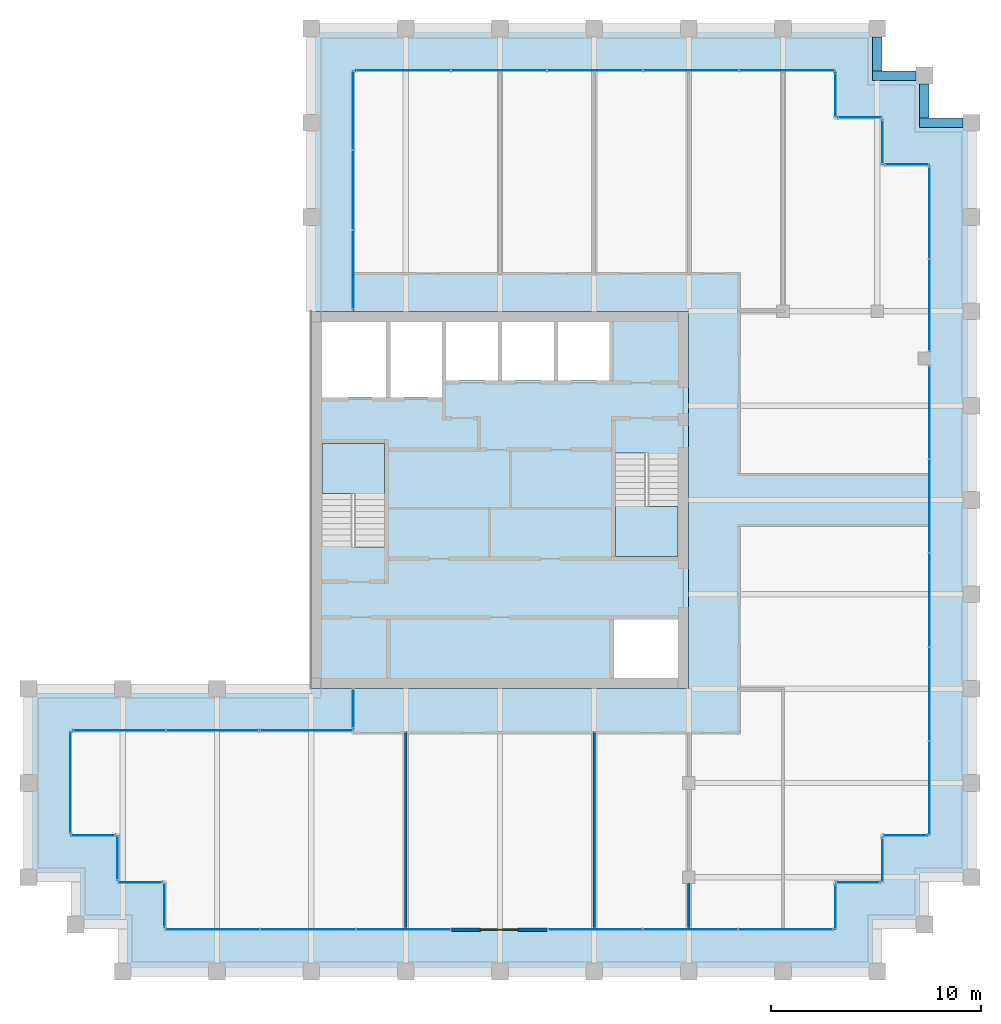
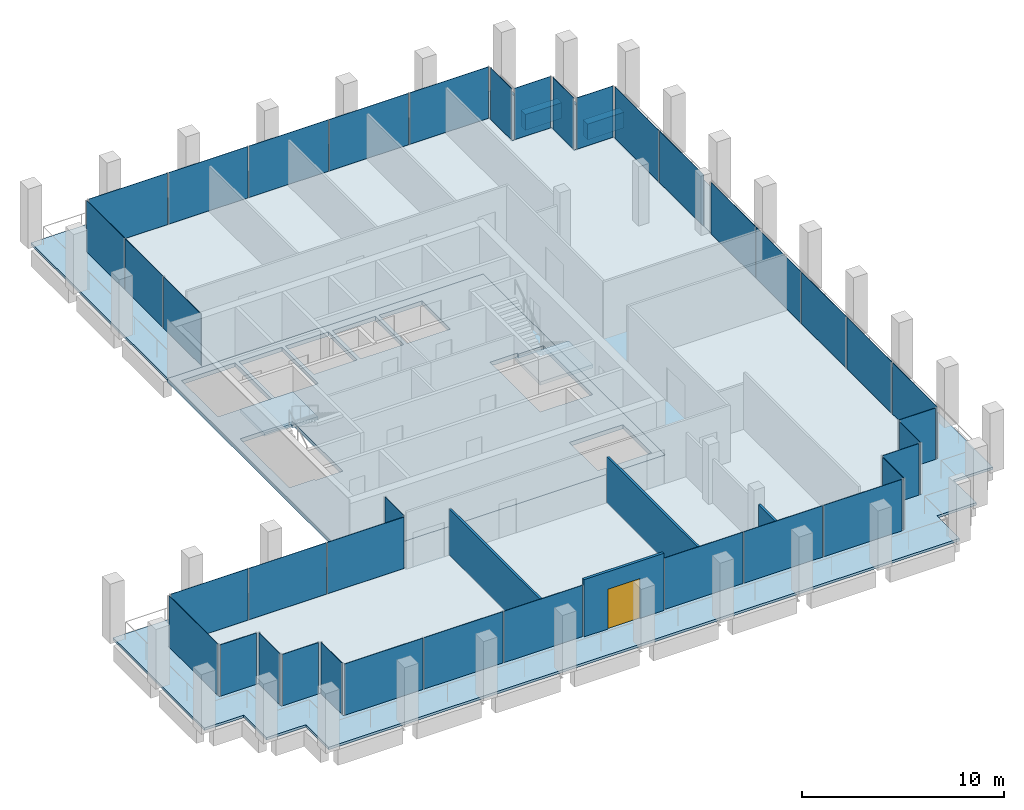
# One storey, part 27 of 30: 38 plates, 5 slabs, 4 beams, 4 walls, 1 door, 1 opening, 23 elements without a shape of their own.
"""IFC4 building model written with IfcOpenShell, lengths in metres."""

from ifc_helpers import new_model, si_unit, direction, frame, frame_2d, origin, origin_2d, place, context, subcontext, project, spatial, polyline, rectangle, outline, extrude, material, layer, layer_set, material_profile, profile_set, type_object, element, fill, aggregate, save


model = new_model("IFC4")

# Units and contexts
model_context = context("Model", 3, precision=1e-05, world=origin(), true_north=direction((0.0, 1.0)))
body_context = subcontext(model_context, "Body", "Model", "MODEL_VIEW")
ifc_project = project(units=[si_unit("LENGTHUNIT", "METRE"), si_unit("AREAUNIT", "SQUARE_METRE"), si_unit("VOLUMEUNIT", "CUBIC_METRE"), si_unit("PLANEANGLEUNIT", "RADIAN"), si_unit("MASSUNIT", "GRAM", prefix="KILO")], contexts=[model_context])

# Site, building, storey
site_placement = place(None, origin())
site = spatial("IfcSite", under=ifc_project, at=site_placement, CompositionType="ELEMENT")
building_placement = place(site_placement, origin())
building = spatial("IfcBuilding", under=site, at=building_placement, Name="Altepetl Exchange Towers", CompositionType="ELEMENT")
storey_placement = place(building_placement, frame((0.0, 0.0, 217.199951171875)))
storey = spatial("IfcBuildingStorey", under=building, at=storey_placement, Name="L55", CompositionType="ELEMENT", Elevation=217.199951171875)

# Beams
ifc_material_1 = material(Name="Concrete C50/60 precast with cantera rosa facing", Category="concrete")
ifc_material_profile = material_profile(ifc_material_1, rectangle(XDim=0.449951171875, YDim=0.949951171875, at=origin_2d()), Name="450 x 950")
ifc_profile_set = profile_set([ifc_material_profile], Name="Concrete C50/60 precast with cantera rosa facing")
beam_type = type_object("IfcBeamType", Name="Spandrel beam 450x950 cantera rosa", PredefinedType="SPANDREL", material=ifc_profile_set)
beam_1_placement = place(storey_placement, frame((71.60009765625, 67.5, -0.625), z_axis=(-1.0, 0.0, 0.0), x_axis=(0.0, -1.0, 0.0)))
element("IfcBeam", 1, at=beam_1_placement, inside=storey, type_object=beam_type, Name="sp:A:L55:020", PredefinedType="SPANDREL", context=body_context, shape_type="SweptSolid", body=[
    extrude(rectangle(XDim=0.449951171875, YDim=0.949951171875, at=origin_2d()), origin(), (0.0, 0.0, 1.0), 2.0751953125),
])
beam_2_placement = place(storey_placement, frame((69.75, 67.72509765625, -0.625), z_axis=(0.0, 1.0, 0.0), x_axis=(-1.0, 0.0, 0.0)))
element("IfcBeam", 2, at=beam_2_placement, inside=storey, type_object=beam_type, Name="sp:A:L55:021", PredefinedType="SPANDREL", context=body_context, shape_type="SweptSolid", body=[
    extrude(rectangle(XDim=0.449951171875, YDim=0.949951171875, at=origin_2d()), origin(), (0.0, 0.0, 1.0), 1.625),
])
beam_3_placement = place(storey_placement, frame((69.35009765625, 69.75, -0.625), z_axis=(-1.0, 0.0, 0.0), x_axis=(0.0, -1.0, 0.0)))
element("IfcBeam", 3, at=beam_3_placement, inside=storey, type_object=beam_type, Name="sp:A:L55:022", PredefinedType="SPANDREL", context=body_context, shape_type="SweptSolid", body=[
    extrude(rectangle(XDim=0.449951171875, YDim=0.949951171875, at=origin_2d()), origin(), (0.0, 0.0, 1.0), 2.0751953125),
])
beam_4_placement = place(storey_placement, frame((67.5, 69.97509765625, -0.625), z_axis=(0.0, 1.0, 0.0), x_axis=(-1.0, 0.0, 0.0)))
element("IfcBeam", 4, at=beam_4_placement, inside=storey, type_object=beam_type, Name="sp:A:L55:023", PredefinedType="SPANDREL", context=body_context, shape_type="SweptSolid", body=[
    extrude(rectangle(XDim=0.449951171875, YDim=0.949951171875, at=origin_2d()), origin(), (0.0, 0.0, 1.0), 1.625),
])

# Slabs
ifc_material_2 = material(Name="Concrete C40/50", Category="concrete")
ifc_layer_1 = layer(ifc_material_2, 0.14990234375)
ifc_layer_set_1 = layer_set([ifc_layer_1], Name="Concrete C40/50")
slab_type_1 = type_object("IfcSlabType", Name="Composite floor slab 150", PredefinedType="FLOOR", material=ifc_layer_set_1)
slab_1_placement = place(storey_placement, frame((0.0, 0.0, -0.14990234375)))
element("IfcSlab", 5, at=slab_1_placement, inside=storey, type_object=slab_type_1, Name="slab:A:L55:strip0", PredefinedType="FLOOR", context=body_context, shape_type="SweptSolid", body=[
    extrude(outline(polyline([(42.5, 70.0), (42.5, 58.5), (58.5, 58.5), (58.5, 40.5), (42.5, 40.5), (42.5, 38.5), (29.0, 38.5), (29.0, 33.5), (31.25, 33.5), (31.25, 31.25), (33.5, 31.25), (33.5, 29.0), (65.5, 29.0), (65.5, 31.25), (67.75, 31.25), (67.75, 33.5), (70.0, 33.5), (70.0, 65.5), (67.75, 65.5), (67.75, 67.75), (65.5, 67.75), (65.5, 70.0), (42.5, 70.0)])), origin(), (0.0, 0.0, 1.0), 0.14990234375),
])
ifc_layer_2 = layer(ifc_material_2, 0.25)
ifc_layer_set_2 = layer_set([ifc_layer_2], Name="Concrete C40/50")
slab_type_2 = type_object("IfcSlabType", Name="Core floor slab 250", PredefinedType="FLOOR", material=ifc_layer_set_2)
slab_2_placement = place(storey_placement, frame((0.0, 0.0, -0.25)))
element("IfcSlab", 6, at=slab_2_placement, inside=storey, type_object=slab_type_2, Name="slab:A:L55:core0", PredefinedType="FLOOR", context=body_context, shape_type="SweptSolid", body=[
    extrude(outline(polyline([(40.5, 40.5), (58.5, 40.5), (58.5, 58.5), (40.5, 58.5), (40.5, 40.5)]), holes=[polyline([(54.93310546875, 43.800048828125), (58.0, 43.800048828125), (58.0, 41.0), (54.93310546875, 41.0), (54.93310546875, 43.800048828125)]), polyline([(55.0, 51.7490234375), (56.550048828125, 51.7490234375), (56.550048828125, 51.64990234375), (58.0, 51.64990234375), (58.0, 46.800048828125), (55.0, 46.800048828125), (55.0, 51.7490234375)]), polyline([(44.0, 47.2509765625), (42.449951171875, 47.2509765625), (42.449951171875, 47.35009765625), (41.0, 47.35009765625), (41.0, 52.199951171875), (44.0, 52.199951171875), (44.0, 47.2509765625)]), polyline([(41.0, 58.0), (44.06689453125, 58.0), (44.06689453125, 54.39990234375), (41.0, 54.39990234375), (41.0, 58.0)]), polyline([(44.26708984375, 58.0), (46.73291015625, 58.0), (46.73291015625, 54.39990234375), (44.26708984375, 54.39990234375), (44.26708984375, 58.0)]), polyline([(46.93310546875, 58.0), (49.39990234375, 58.0), (49.39990234375, 55.199951171875), (46.93310546875, 55.199951171875), (46.93310546875, 58.0)]), polyline([(49.60009765625, 58.0), (52.06689453125, 58.0), (52.06689453125, 55.199951171875), (49.60009765625, 55.199951171875), (49.60009765625, 58.0)]), polyline([(52.26708984375, 58.0), (54.73291015625, 58.0), (54.73291015625, 55.199951171875), (52.26708984375, 55.199951171875), (52.26708984375, 58.0)])]), origin(), (0.0, 0.0, 1.0), 0.25),
])

# Curtain wall, plate
ifc_material_3 = material(Name="Aluminium 6063-T6 glazing", Category="aluminium")
curtain_wall_type = type_object("IfcCurtainWallType", Name="Loggia glazing system", PredefinedType="NOTDEFINED", material=ifc_material_3)
curtain_wall_1_placement = place(storey_placement, origin())
curtain_wall_1 = element("IfcCurtainWall", 7, at=curtain_wall_1_placement, inside=storey, type_object=curtain_wall_type, Name="CW1 run", PredefinedType="NOTDEFINED")
ifc_material_4 = material(Name="Glass 6-16-6 low emissivity", Category="glass")
ifc_layer_3 = layer(ifc_material_4, 0.028076171875)
ifc_layer_set_3 = layer_set([ifc_layer_3], Name="Glass 6-16-6 low emissivity")
plate_type = type_object("IfcPlateType", Name="Glass panel 28 double glazed", PredefinedType="CURTAIN_PANEL", material=ifc_layer_set_3)
plate_1_placement = place(storey_placement, frame((42.5, 39.53759765625, 0.0), z_axis=(0.0, 0.0, 1.0), x_axis=(0.0, -1.0, 0.0)))
plate_1 = element("IfcPlate", 8, at=plate_1_placement, type_object=plate_type, Name="GP1 panel", PredefinedType="CURTAIN_PANEL", context=body_context, shape_type="SweptSolid", body=[
    extrude(rectangle(XDim=1.804931640625, YDim=0.028076171875, at=origin_2d()), origin(), (0.0, 0.0, 1.0), 3.10009765625),
])
aggregate(curtain_wall_1, [plate_1])

# Curtain wall, plates
curtain_wall_2_placement = place(storey_placement, origin())
curtain_wall_2 = element("IfcCurtainWall", 9, at=curtain_wall_2_placement, inside=storey, type_object=curtain_wall_type, Name="CW1 run", PredefinedType="NOTDEFINED")
plate_2_placement = place(storey_placement, frame((40.24755859375, 38.5, 0.0), z_axis=(0.0, 0.0, 1.0), x_axis=(-1.0, 0.0, 0.0)))
plate_2 = element("IfcPlate", 10, at=plate_2_placement, type_object=plate_type, Name="GP1 panel", PredefinedType="CURTAIN_PANEL", context=body_context, shape_type="SweptSolid", body=[
    extrude(rectangle(XDim=4.385009765625, YDim=0.028076171875, at=origin_2d()), origin(), (0.0, 0.0, 1.0), 3.10009765625),
])
plate_3_placement = place(storey_placement, frame((35.78759765625, 38.5, 0.0), z_axis=(0.0, 0.0, 1.0), x_axis=(-1.0, 0.0, 0.0)))
plate_3 = element("IfcPlate", 11, at=plate_3_placement, type_object=plate_type, Name="GP1 panel", PredefinedType="CURTAIN_PANEL", context=body_context, shape_type="SweptSolid", body=[
    extrude(rectangle(XDim=4.4150390625, YDim=0.028076171875, at=origin_2d()), origin(), (0.0, 0.0, 1.0), 3.10009765625),
])
plate_4_placement = place(storey_placement, frame((31.327392578125, 38.5, 0.0), z_axis=(0.0, 0.0, 1.0), x_axis=(-1.0, 0.0, 0.0)))
plate_4 = element("IfcPlate", 12, at=plate_4_placement, type_object=plate_type, Name="GP1 panel", PredefinedType="CURTAIN_PANEL", context=body_context, shape_type="SweptSolid", body=[
    extrude(rectangle(XDim=4.385009765625, YDim=0.028076171875, at=origin_2d()), origin(), (0.0, 0.0, 1.0), 3.10009765625),
])
aggregate(curtain_wall_2, [plate_2, plate_3, plate_4])

# Curtain wall, plate
curtain_wall_3_placement = place(storey_placement, origin())
curtain_wall_3 = element("IfcCurtainWall", 13, at=curtain_wall_3_placement, inside=storey, type_object=curtain_wall_type, Name="CW1 run", PredefinedType="NOTDEFINED")
plate_5_placement = place(storey_placement, frame((29.0, 36.03759765625, 0.0), z_axis=(0.0, 0.0, 1.0), x_axis=(0.0, -1.0, 0.0)))
plate_5 = element("IfcPlate", 14, at=plate_5_placement, type_object=plate_type, Name="GP1 panel", PredefinedType="CURTAIN_PANEL", context=body_context, shape_type="SweptSolid", body=[
    extrude(rectangle(XDim=4.804931640625, YDim=0.028076171875, at=origin_2d()), origin(), (0.0, 0.0, 1.0), 3.10009765625),
])
aggregate(curtain_wall_3, [plate_5])

curtain_wall_4_placement = place(storey_placement, origin())
curtain_wall_4 = element("IfcCurtainWall", 15, at=curtain_wall_4_placement, inside=storey, type_object=curtain_wall_type, Name="CW1 run", PredefinedType="NOTDEFINED")
plate_6_placement = place(storey_placement, frame((30.08740234375, 33.5, 0.0)))
plate_6 = element("IfcPlate", 16, at=plate_6_placement, type_object=plate_type, Name="GP1 panel", PredefinedType="CURTAIN_PANEL", context=body_context, shape_type="SweptSolid", body=[
    extrude(rectangle(XDim=2.054931640625, YDim=0.028076171875, at=origin_2d()), origin(), (0.0, 0.0, 1.0), 3.10009765625),
])
aggregate(curtain_wall_4, [plate_6])

curtain_wall_5_placement = place(storey_placement, origin())
curtain_wall_5 = element("IfcCurtainWall", 17, at=curtain_wall_5_placement, inside=storey, type_object=curtain_wall_type, Name="CW1 run", PredefinedType="NOTDEFINED")
plate_7_placement = place(storey_placement, frame((31.25, 32.41259765625, 0.0), z_axis=(0.0, 0.0, 1.0), x_axis=(0.0, -1.0, 0.0)))
plate_7 = element("IfcPlate", 18, at=plate_7_placement, type_object=plate_type, Name="GP1 panel", PredefinedType="CURTAIN_PANEL", context=body_context, shape_type="SweptSolid", body=[
    extrude(rectangle(XDim=2.054931640625, YDim=0.028076171875, at=origin_2d()), origin(), (0.0, 0.0, 1.0), 3.10009765625),
])
aggregate(curtain_wall_5, [plate_7])

curtain_wall_6_placement = place(storey_placement, origin())
curtain_wall_6 = element("IfcCurtainWall", 19, at=curtain_wall_6_placement, inside=storey, type_object=curtain_wall_type, Name="CW1 run", PredefinedType="NOTDEFINED")
plate_8_placement = place(storey_placement, frame((32.33740234375, 31.25, 0.0)))
plate_8 = element("IfcPlate", 20, at=plate_8_placement, type_object=plate_type, Name="GP1 panel", PredefinedType="CURTAIN_PANEL", context=body_context, shape_type="SweptSolid", body=[
    extrude(rectangle(XDim=2.054931640625, YDim=0.028076171875, at=origin_2d()), origin(), (0.0, 0.0, 1.0), 3.10009765625),
])
aggregate(curtain_wall_6, [plate_8])

curtain_wall_7_placement = place(storey_placement, origin())
curtain_wall_7 = element("IfcCurtainWall", 21, at=curtain_wall_7_placement, inside=storey, type_object=curtain_wall_type, Name="CW1 run", PredefinedType="NOTDEFINED")
plate_9_placement = place(storey_placement, frame((33.5, 30.16259765625, 0.0), z_axis=(0.0, 0.0, 1.0), x_axis=(0.0, -1.0, 0.0)))
plate_9 = element("IfcPlate", 22, at=plate_9_placement, type_object=plate_type, Name="GP1 panel", PredefinedType="CURTAIN_PANEL", context=body_context, shape_type="SweptSolid", body=[
    extrude(rectangle(XDim=2.054931640625, YDim=0.028076171875, at=origin_2d()), origin(), (0.0, 0.0, 1.0), 3.10009765625),
])
aggregate(curtain_wall_7, [plate_9])

# Curtain wall, plates
curtain_wall_8_placement = place(storey_placement, origin())
curtain_wall_8 = element("IfcCurtainWall", 23, at=curtain_wall_8_placement, inside=storey, type_object=curtain_wall_type, Name="CW1 run", PredefinedType="NOTDEFINED")
plate_10_placement = place(storey_placement, frame((35.79541015625, 29.0, 0.0)))
plate_10 = element("IfcPlate", 24, at=plate_10_placement, type_object=plate_type, Name="GP1 panel", PredefinedType="CURTAIN_PANEL", context=body_context, shape_type="SweptSolid", body=[
    extrude(rectangle(XDim=4.470703125, YDim=0.028076171875, at=origin_2d()), origin(), (0.0, 0.0, 1.0), 3.10009765625),
])
plate_11_placement = place(storey_placement, frame((40.341064453125, 29.0, 0.0)))
plate_11 = element("IfcPlate", 25, at=plate_11_placement, type_object=plate_type, Name="GP1 panel", PredefinedType="CURTAIN_PANEL", context=body_context, shape_type="SweptSolid", body=[
    extrude(rectangle(XDim=4.500732421875, YDim=0.028076171875, at=origin_2d()), origin(), (0.0, 0.0, 1.0), 3.10009765625),
])
plate_12_placement = place(storey_placement, frame((44.88671875, 29.0, 0.0)))
plate_12 = element("IfcPlate", 26, at=plate_12_placement, type_object=plate_type, Name="GP1 panel", PredefinedType="CURTAIN_PANEL", context=body_context, shape_type="SweptSolid", body=[
    extrude(rectangle(XDim=4.470703125, YDim=0.028076171875, at=origin_2d()), origin(), (0.0, 0.0, 1.0), 3.10009765625),
])
aggregate(curtain_wall_8, [plate_10, plate_11, plate_12])

curtain_wall_9_placement = place(storey_placement, origin())
curtain_wall_9 = element("IfcCurtainWall", 27, at=curtain_wall_9_placement, inside=storey, type_object=curtain_wall_type, Name="CW1 run", PredefinedType="NOTDEFINED")
plate_13_placement = place(storey_placement, frame((54.038330078125, 29.0, 0.0)))
plate_13 = element("IfcPlate", 28, at=plate_13_placement, type_object=plate_type, Name="GP1 panel", PredefinedType="CURTAIN_PANEL", context=body_context, shape_type="SweptSolid", body=[
    extrude(rectangle(XDim=4.470703125, YDim=0.028076171875, at=origin_2d()), origin(), (0.0, 0.0, 1.0), 3.10009765625),
])
plate_14_placement = place(storey_placement, frame((58.583984375, 29.0, 0.0)))
plate_14 = element("IfcPlate", 29, at=plate_14_placement, type_object=plate_type, Name="GP1 panel", PredefinedType="CURTAIN_PANEL", context=body_context, shape_type="SweptSolid", body=[
    extrude(rectangle(XDim=4.500732421875, YDim=0.028076171875, at=origin_2d()), origin(), (0.0, 0.0, 1.0), 3.10009765625),
])
plate_15_placement = place(storey_placement, frame((63.129638671875, 29.0, 0.0)))
plate_15 = element("IfcPlate", 30, at=plate_15_placement, type_object=plate_type, Name="GP1 panel", PredefinedType="CURTAIN_PANEL", context=body_context, shape_type="SweptSolid", body=[
    extrude(rectangle(XDim=4.470703125, YDim=0.028076171875, at=origin_2d()), origin(), (0.0, 0.0, 1.0), 3.10009765625),
])
aggregate(curtain_wall_9, [plate_13, plate_14, plate_15])

# Curtain wall, plate
curtain_wall_10_placement = place(storey_placement, origin())
curtain_wall_10 = element("IfcCurtainWall", 31, at=curtain_wall_10_placement, inside=storey, type_object=curtain_wall_type, Name="CW1 run", PredefinedType="NOTDEFINED")
plate_16_placement = place(storey_placement, frame((65.5, 30.08740234375, 0.0), z_axis=(0.0, 0.0, 1.0), x_axis=(0.0, 1.0, 0.0)))
plate_16 = element("IfcPlate", 32, at=plate_16_placement, type_object=plate_type, Name="GP1 panel", PredefinedType="CURTAIN_PANEL", context=body_context, shape_type="SweptSolid", body=[
    extrude(rectangle(XDim=2.054931640625, YDim=0.028076171875, at=origin_2d()), origin(), (0.0, 0.0, 1.0), 3.10009765625),
])
aggregate(curtain_wall_10, [plate_16])

curtain_wall_11_placement = place(storey_placement, origin())
curtain_wall_11 = element("IfcCurtainWall", 33, at=curtain_wall_11_placement, inside=storey, type_object=curtain_wall_type, Name="CW1 run", PredefinedType="NOTDEFINED")
plate_17_placement = place(storey_placement, frame((66.58740234375, 31.25, 0.0)))
plate_17 = element("IfcPlate", 34, at=plate_17_placement, type_object=plate_type, Name="GP1 panel", PredefinedType="CURTAIN_PANEL", context=body_context, shape_type="SweptSolid", body=[
    extrude(rectangle(XDim=2.054931640625, YDim=0.028076171875, at=origin_2d()), origin(), (0.0, 0.0, 1.0), 3.10009765625),
])
aggregate(curtain_wall_11, [plate_17])

curtain_wall_12_placement = place(storey_placement, origin())
curtain_wall_12 = element("IfcCurtainWall", 35, at=curtain_wall_12_placement, inside=storey, type_object=curtain_wall_type, Name="CW1 run", PredefinedType="NOTDEFINED")
plate_18_placement = place(storey_placement, frame((67.75, 32.33740234375, 0.0), z_axis=(0.0, 0.0, 1.0), x_axis=(0.0, 1.0, 0.0)))
plate_18 = element("IfcPlate", 36, at=plate_18_placement, type_object=plate_type, Name="GP1 panel", PredefinedType="CURTAIN_PANEL", context=body_context, shape_type="SweptSolid", body=[
    extrude(rectangle(XDim=2.054931640625, YDim=0.028076171875, at=origin_2d()), origin(), (0.0, 0.0, 1.0), 3.10009765625),
])
aggregate(curtain_wall_12, [plate_18])

curtain_wall_13_placement = place(storey_placement, origin())
curtain_wall_13 = element("IfcCurtainWall", 37, at=curtain_wall_13_placement, inside=storey, type_object=curtain_wall_type, Name="CW1 run", PredefinedType="NOTDEFINED")
plate_19_placement = place(storey_placement, frame((68.83740234375, 33.5, 0.0)))
plate_19 = element("IfcPlate", 38, at=plate_19_placement, type_object=plate_type, Name="GP1 panel", PredefinedType="CURTAIN_PANEL", context=body_context, shape_type="SweptSolid", body=[
    extrude(rectangle(XDim=2.054931640625, YDim=0.028076171875, at=origin_2d()), origin(), (0.0, 0.0, 1.0), 3.10009765625),
])
aggregate(curtain_wall_13, [plate_19])

# Curtain wall, plates
curtain_wall_14_placement = place(storey_placement, origin())
curtain_wall_14 = element("IfcCurtainWall", 39, at=curtain_wall_14_placement, inside=storey, type_object=curtain_wall_type, Name="CW1 run", PredefinedType="NOTDEFINED")
plate_20_placement = place(storey_placement, frame((70.0, 35.758056640625, 0.0), z_axis=(0.0, 0.0, 1.0), x_axis=(0.0, 1.0, 0.0)))
plate_20 = element("IfcPlate", 40, at=plate_20_placement, type_object=plate_type, Name="GP1 panel", PredefinedType="CURTAIN_PANEL", context=body_context, shape_type="SweptSolid", body=[
    extrude(rectangle(XDim=4.39599609375, YDim=0.028076171875, at=origin_2d()), origin(), (0.0, 0.0, 1.0), 3.10009765625),
])
plate_21_placement = place(storey_placement, frame((70.0, 40.22900390625, 0.0), z_axis=(0.0, 0.0, 1.0), x_axis=(0.0, 1.0, 0.0)))
plate_21 = element("IfcPlate", 41, at=plate_21_placement, type_object=plate_type, Name="GP1 panel", PredefinedType="CURTAIN_PANEL", context=body_context, shape_type="SweptSolid", body=[
    extrude(rectangle(XDim=4.426025390625, YDim=0.028076171875, at=origin_2d()), origin(), (0.0, 0.0, 1.0), 3.10009765625),
])
plate_22_placement = place(storey_placement, frame((70.0, 44.715087890625, 0.0), z_axis=(0.0, 0.0, 1.0), x_axis=(0.0, 1.0, 0.0)))
plate_22 = element("IfcPlate", 42, at=plate_22_placement, type_object=plate_type, Name="GP1 panel", PredefinedType="CURTAIN_PANEL", context=body_context, shape_type="SweptSolid", body=[
    extrude(rectangle(XDim=4.426025390625, YDim=0.028076171875, at=origin_2d()), origin(), (0.0, 0.0, 1.0), 3.10009765625),
])
plate_23_placement = place(storey_placement, frame((70.0, 49.200927734375, 0.0), z_axis=(0.0, 0.0, 1.0), x_axis=(0.0, 1.0, 0.0)))
plate_23 = element("IfcPlate", 43, at=plate_23_placement, type_object=plate_type, Name="GP1 panel", PredefinedType="CURTAIN_PANEL", context=body_context, shape_type="SweptSolid", body=[
    extrude(rectangle(XDim=4.426025390625, YDim=0.028076171875, at=origin_2d()), origin(), (0.0, 0.0, 1.0), 3.10009765625),
])
plate_24_placement = place(storey_placement, frame((70.0, 53.672119140625, 0.0), z_axis=(0.0, 0.0, 1.0), x_axis=(0.0, 1.0, 0.0)))
plate_24 = element("IfcPlate", 44, at=plate_24_placement, type_object=plate_type, Name="GP1 panel", PredefinedType="CURTAIN_PANEL", context=body_context, shape_type="SweptSolid", body=[
    extrude(rectangle(XDim=4.39599609375, YDim=0.028076171875, at=origin_2d()), origin(), (0.0, 0.0, 1.0), 3.10009765625),
])
aggregate(curtain_wall_14, [plate_20, plate_21, plate_22, plate_23, plate_24])

curtain_wall_15_placement = place(storey_placement, origin())
curtain_wall_15 = element("IfcCurtainWall", 45, at=curtain_wall_15_placement, inside=storey, type_object=curtain_wall_type, Name="CW1 run", PredefinedType="NOTDEFINED")
plate_25_placement = place(storey_placement, frame((70.0, 58.798828125, 0.0), z_axis=(0.0, 0.0, 1.0), x_axis=(0.0, 1.0, 0.0)))
plate_25 = element("IfcPlate", 46, at=plate_25_placement, type_object=plate_type, Name="GP1 panel", PredefinedType="CURTAIN_PANEL", context=body_context, shape_type="SweptSolid", body=[
    extrude(rectangle(XDim=4.33740234375, YDim=0.028076171875, at=origin_2d()), origin(), (0.0, 0.0, 1.0), 3.10009765625),
])
plate_26_placement = place(storey_placement, frame((70.0, 63.1962890625, 0.0), z_axis=(0.0, 0.0, 1.0), x_axis=(0.0, 1.0, 0.0)))
plate_26 = element("IfcPlate", 47, at=plate_26_placement, type_object=plate_type, Name="GP1 panel", PredefinedType="CURTAIN_PANEL", context=body_context, shape_type="SweptSolid", body=[
    extrude(rectangle(XDim=4.33740234375, YDim=0.028076171875, at=origin_2d()), origin(), (0.0, 0.0, 1.0), 3.10009765625),
])
aggregate(curtain_wall_15, [plate_25, plate_26])

# Curtain wall, plate
curtain_wall_16_placement = place(storey_placement, origin())
curtain_wall_16 = element("IfcCurtainWall", 48, at=curtain_wall_16_placement, inside=storey, type_object=curtain_wall_type, Name="CW1 run", PredefinedType="NOTDEFINED")
plate_27_placement = place(storey_placement, frame((68.91259765625, 65.5, 0.0), z_axis=(0.0, 0.0, 1.0), x_axis=(-1.0, 0.0, 0.0)))
plate_27 = element("IfcPlate", 49, at=plate_27_placement, type_object=plate_type, Name="GP1 panel", PredefinedType="CURTAIN_PANEL", context=body_context, shape_type="SweptSolid", body=[
    extrude(rectangle(XDim=2.054931640625, YDim=0.028076171875, at=origin_2d()), origin(), (0.0, 0.0, 1.0), 3.10009765625),
])
aggregate(curtain_wall_16, [plate_27])

curtain_wall_17_placement = place(storey_placement, origin())
curtain_wall_17 = element("IfcCurtainWall", 50, at=curtain_wall_17_placement, inside=storey, type_object=curtain_wall_type, Name="CW1 run", PredefinedType="NOTDEFINED")
plate_28_placement = place(storey_placement, frame((67.75, 66.58740234375, 0.0), z_axis=(0.0, 0.0, 1.0), x_axis=(0.0, 1.0, 0.0)))
plate_28 = element("IfcPlate", 51, at=plate_28_placement, type_object=plate_type, Name="GP1 panel", PredefinedType="CURTAIN_PANEL", context=body_context, shape_type="SweptSolid", body=[
    extrude(rectangle(XDim=2.054931640625, YDim=0.028076171875, at=origin_2d()), origin(), (0.0, 0.0, 1.0), 3.10009765625),
])
aggregate(curtain_wall_17, [plate_28])

curtain_wall_18_placement = place(storey_placement, origin())
curtain_wall_18 = element("IfcCurtainWall", 52, at=curtain_wall_18_placement, inside=storey, type_object=curtain_wall_type, Name="CW1 run", PredefinedType="NOTDEFINED")
plate_29_placement = place(storey_placement, frame((66.66259765625, 67.75, 0.0), z_axis=(0.0, 0.0, 1.0), x_axis=(-1.0, 0.0, 0.0)))
plate_29 = element("IfcPlate", 53, at=plate_29_placement, type_object=plate_type, Name="GP1 panel", PredefinedType="CURTAIN_PANEL", context=body_context, shape_type="SweptSolid", body=[
    extrude(rectangle(XDim=2.054931640625, YDim=0.028076171875, at=origin_2d()), origin(), (0.0, 0.0, 1.0), 3.10009765625),
])
aggregate(curtain_wall_18, [plate_29])

curtain_wall_19_placement = place(storey_placement, origin())
curtain_wall_19 = element("IfcCurtainWall", 54, at=curtain_wall_19_placement, inside=storey, type_object=curtain_wall_type, Name="CW1 run", PredefinedType="NOTDEFINED")
plate_30_placement = place(storey_placement, frame((65.5, 68.83740234375, 0.0), z_axis=(0.0, 0.0, 1.0), x_axis=(0.0, 1.0, 0.0)))
plate_30 = element("IfcPlate", 55, at=plate_30_placement, type_object=plate_type, Name="GP1 panel", PredefinedType="CURTAIN_PANEL", context=body_context, shape_type="SweptSolid", body=[
    extrude(rectangle(XDim=2.054931640625, YDim=0.028076171875, at=origin_2d()), origin(), (0.0, 0.0, 1.0), 3.10009765625),
])
aggregate(curtain_wall_19, [plate_30])

# Curtain wall, plates
curtain_wall_20_placement = place(storey_placement, origin())
curtain_wall_20 = element("IfcCurtainWall", 56, at=curtain_wall_20_placement, inside=storey, type_object=curtain_wall_type, Name="CW1 run", PredefinedType="NOTDEFINED")
plate_31_placement = place(storey_placement, frame((63.1923828125, 70.0, 0.0), z_axis=(0.0, 0.0, 1.0), x_axis=(-1.0, 0.0, 0.0)))
plate_31 = element("IfcPlate", 57, at=plate_31_placement, type_object=plate_type, Name="GP1 panel", PredefinedType="CURTAIN_PANEL", context=body_context, shape_type="SweptSolid", body=[
    extrude(rectangle(XDim=4.4951171875, YDim=0.028076171875, at=origin_2d()), origin(), (0.0, 0.0, 1.0), 3.10009765625),
])
plate_32_placement = place(storey_placement, frame((58.62255859375, 70.0, 0.0), z_axis=(0.0, 0.0, 1.0), x_axis=(-1.0, 0.0, 0.0)))
plate_32 = element("IfcPlate", 58, at=plate_32_placement, type_object=plate_type, Name="GP1 panel", PredefinedType="CURTAIN_PANEL", context=body_context, shape_type="SweptSolid", body=[
    extrude(rectangle(XDim=4.52490234375, YDim=0.028076171875, at=origin_2d()), origin(), (0.0, 0.0, 1.0), 3.10009765625),
])
plate_33_placement = place(storey_placement, frame((54.03759765625, 70.0, 0.0), z_axis=(0.0, 0.0, 1.0), x_axis=(-1.0, 0.0, 0.0)))
plate_33 = element("IfcPlate", 59, at=plate_33_placement, type_object=plate_type, Name="GP1 panel", PredefinedType="CURTAIN_PANEL", context=body_context, shape_type="SweptSolid", body=[
    extrude(rectangle(XDim=4.52490234375, YDim=0.028076171875, at=origin_2d()), origin(), (0.0, 0.0, 1.0), 3.10009765625),
])
plate_34_placement = place(storey_placement, frame((49.452392578125, 70.0, 0.0), z_axis=(0.0, 0.0, 1.0), x_axis=(-1.0, 0.0, 0.0)))
plate_34 = element("IfcPlate", 60, at=plate_34_placement, type_object=plate_type, Name="GP1 panel", PredefinedType="CURTAIN_PANEL", context=body_context, shape_type="SweptSolid", body=[
    extrude(rectangle(XDim=4.52490234375, YDim=0.028076171875, at=origin_2d()), origin(), (0.0, 0.0, 1.0), 3.10009765625),
])
plate_35_placement = place(storey_placement, frame((44.882568359375, 70.0, 0.0), z_axis=(0.0, 0.0, 1.0), x_axis=(-1.0, 0.0, 0.0)))
plate_35 = element("IfcPlate", 61, at=plate_35_placement, type_object=plate_type, Name="GP1 panel", PredefinedType="CURTAIN_PANEL", context=body_context, shape_type="SweptSolid", body=[
    extrude(rectangle(XDim=4.4951171875, YDim=0.028076171875, at=origin_2d()), origin(), (0.0, 0.0, 1.0), 3.10009765625),
])
aggregate(curtain_wall_20, [plate_31, plate_32, plate_33, plate_34, plate_35])

curtain_wall_21_placement = place(storey_placement, origin())
curtain_wall_21 = element("IfcCurtainWall", 62, at=curtain_wall_21_placement, inside=storey, type_object=curtain_wall_type, Name="CW1 run", PredefinedType="NOTDEFINED")
plate_36_placement = place(storey_placement, frame((42.5, 68.080810546875, 0.0), z_axis=(0.0, 0.0, 1.0), x_axis=(0.0, -1.0, 0.0)))
plate_36 = element("IfcPlate", 63, at=plate_36_placement, type_object=plate_type, Name="GP1 panel", PredefinedType="CURTAIN_PANEL", context=body_context, shape_type="SweptSolid", body=[
    extrude(rectangle(XDim=3.71826171875, YDim=0.028076171875, at=origin_2d()), origin(), (0.0, 0.0, 1.0), 3.10009765625),
])
plate_37_placement = place(storey_placement, frame((42.5, 64.28759765625, 0.0), z_axis=(0.0, 0.0, 1.0), x_axis=(0.0, -1.0, 0.0)))
plate_37 = element("IfcPlate", 64, at=plate_37_placement, type_object=plate_type, Name="GP1 panel", PredefinedType="CURTAIN_PANEL", context=body_context, shape_type="SweptSolid", body=[
    extrude(rectangle(XDim=3.748291015625, YDim=0.028076171875, at=origin_2d()), origin(), (0.0, 0.0, 1.0), 3.10009765625),
])
plate_38_placement = place(storey_placement, frame((42.5, 60.494140625, 0.0), z_axis=(0.0, 0.0, 1.0), x_axis=(0.0, -1.0, 0.0)))
plate_38 = element("IfcPlate", 65, at=plate_38_placement, type_object=plate_type, Name="GP1 panel", PredefinedType="CURTAIN_PANEL", context=body_context, shape_type="SweptSolid", body=[
    extrude(rectangle(XDim=3.71826171875, YDim=0.028076171875, at=origin_2d()), origin(), (0.0, 0.0, 1.0), 3.10009765625),
])
aggregate(curtain_wall_21, [plate_36, plate_37, plate_38])

# Slab
ifc_layer_4 = layer(ifc_material_2, 0.14990234375)
ifc_layer_set_4 = layer_set([ifc_layer_4], Name="Concrete C40/50")
slab_type_3 = type_object("IfcSlabType", Name="Loggia slab 150", PredefinedType="FLOOR", material=ifc_layer_set_4)
slab_3_placement = place(storey_placement, frame((0.0, 0.0, -0.14990234375)))
element("IfcSlab", 66, at=slab_3_placement, inside=storey, type_object=slab_type_3, Name="slab:A:L55:loggia0", PredefinedType="FLOOR", context=body_context, shape_type="SweptSolid", body=[
    extrude(outline(polyline([(40.5, 72.0), (40.5, 58.5), (42.5, 58.5), (42.5, 70.0), (65.5, 70.0), (65.5, 67.75), (67.75, 67.75), (67.75, 65.5), (70.0, 65.5), (70.0, 33.5), (67.75, 33.5), (67.75, 31.25), (65.5, 31.25), (65.5, 29.0), (33.5, 29.0), (33.5, 31.25), (31.25, 31.25), (31.25, 33.5), (29.0, 33.5), (29.0, 38.5), (42.5, 38.5), (42.5, 40.5), (40.5, 40.5), (27.0, 40.5), (27.0, 31.5), (29.25, 31.5), (29.25, 29.25), (31.5, 29.25), (31.5, 27.0), (58.5, 27.0), (67.5, 27.0), (67.5, 29.25), (69.75, 29.25), (69.75, 31.5), (72.0, 31.5), (72.0, 58.5), (72.0, 67.5), (69.75, 67.5), (69.75, 69.75), (67.5, 69.75), (67.5, 72.0), (40.5, 72.0)])), origin(), (0.0, 0.0, 1.0), 0.14990234375),
])

# Stair, slab
stair_type = type_object("IfcStairType", Name="Exit stair 1450 flights dogleg", PredefinedType="HALF_TURN_STAIR", material=ifc_material_2)
stair_1_placement = place(storey_placement, origin())
stair_1 = element("IfcStair", 67, at=stair_1_placement, inside=storey, type_object=stair_type, Name="Exit stair 1", PredefinedType="HALF_TURN_STAIR")
ifc_layer_5 = layer(ifc_material_2, 0.199951171875)
ifc_layer_set_5 = layer_set([ifc_layer_5], Name="Concrete C40/50")
slab_type_4 = type_object("IfcSlabType", Name="Stair landing 200 reinforced concrete", PredefinedType="LANDING", material=ifc_layer_set_5)
slab_4_placement = place(storey_placement, frame((0.0, 0.0, 1.60009765625)))
slab_4 = element("IfcSlab", 68, at=slab_4_placement, type_object=slab_type_4, Name="ST-A1f landing 1", PredefinedType="LANDING", context=body_context, shape_type="SweptSolid", body=[
    extrude(outline(polyline([(44.0, 49.715087890625), (42.550048828125, 49.715087890625), (42.550048828125, 49.81494140625), (42.449951171875, 49.81494140625), (42.449951171875, 49.814208984375), (41.0, 49.814208984375), (41.0, 49.81494140625), (41.0, 52.199951171875), (44.0, 52.199951171875), (44.0, 49.81494140625), (44.0, 49.715087890625)])), origin(), (0.0, 0.0, 1.0), 0.199951171875),
])
aggregate(stair_1, [slab_4])

stair_2_placement = place(storey_placement, origin())
stair_2 = element("IfcStair", 69, at=stair_2_placement, inside=storey, type_object=stair_type, Name="Exit stair 2", PredefinedType="HALF_TURN_STAIR")
slab_5_placement = place(storey_placement, frame((0.0, 0.0, 1.60009765625)))
slab_5 = element("IfcSlab", 70, at=slab_5_placement, type_object=slab_type_4, Name="ST-A2f landing 1", PredefinedType="LANDING", context=body_context, shape_type="SweptSolid", body=[
    extrude(outline(polyline([(58.0, 46.800048828125), (55.0, 46.800048828125), (55.0, 49.18505859375), (55.0, 49.284912109375), (56.449951171875, 49.284912109375), (56.449951171875, 49.18505859375), (56.550048828125, 49.18505859375), (56.550048828125, 49.185791015625), (58.0, 49.185791015625), (58.0, 49.18505859375), (58.0, 46.800048828125)])), origin(), (0.0, 0.0, 1.0), 0.199951171875),
])
aggregate(stair_2, [slab_5])

# Wall, opening, door
ifc_material_5 = material(Name="Aluminium composite cladding", Category="aluminium")
ifc_layer_6 = layer(ifc_material_5, 0.14990234375)
ifc_layer_set_6 = layer_set([ifc_layer_6], Name="Aluminium composite cladding")
wall_type_1 = type_object("IfcWallType", Name="Infill wall 150 aluminium panel", PredefinedType="SOLIDWALL", material=ifc_layer_set_6)
wall_1_placement = place(storey_placement, frame((47.18212890625, 29.0, 0.0)))
wall_1 = element("IfcWall", 71, at=wall_1_placement, inside=storey, type_object=wall_type_1, Name="Loggia door bay wall", PredefinedType="SOLIDWALL", context=body_context, shape_type="SweptSolid", body=[
    extrude(rectangle(XDim=4.560791015625, YDim=0.14990234375, at=frame_2d((2.2802734375, 0.0))), origin(), (0.0, 0.0, 1.0), 3.449951171875),
])
opening_placement = place(wall_1_placement, frame((1.38037109375, 0.0, 0.0)))
opening = element("IfcOpeningElement", 72, at=opening_placement, cuts=wall_1, Name="Opening L55.A90", PredefinedType="OPENING", context=body_context, shape_type="SweptSolid", body=[
    extrude(rectangle(XDim=1.800048828125, YDim=2.39990234375, at=frame_2d((0.89990234375, 1.199951171875))), frame((0.0, 0.0849609375, 0.0), z_axis=(0.0, -1.0, 0.0), x_axis=(1.0, 0.0, 0.0)), (0.0, 0.0, 1.0), 0.169921875),
])
ifc_material_6 = material(Name="Aluminium 6063-T6 and glass", Category="aluminium")
door_type = type_object("IfcDoorType", Name="Glazed door pair 1800x2400", OperationType="DOUBLE_DOOR_DOUBLE_SWING", PredefinedType="NOTDEFINED", material=ifc_material_6)
door_placement = place(opening_placement, frame((1.800048828125, 0.0, 0.0), x_axis=(-1.0, 0.0, 0.0)))
door = element("IfcDoor", 73, at=door_placement, inside=storey, type_object=door_type, Name="Loggia door", OperationType="DOUBLE_DOOR_DOUBLE_SWING", OverallHeight=2.39990234375, OverallWidth=1.800048828125, PredefinedType="NOTDEFINED", context=body_context, shape_type="SweptSolid", body=[
    extrude(rectangle(XDim=1.800048828125, YDim=2.39990234375, at=frame_2d((0.89990234375, 1.199951171875))), frame((0.0, 0.02490234375, 0.0), z_axis=(0.0, -1.0, 0.0), x_axis=(1.0, 0.0, 0.0)), (0.0, 0.0, 1.0), 0.050048828125),
])
fill(opening, door)

# Walls
ifc_material_7 = material(Name="Gypsum board on steel studs", Category="steel")
ifc_layer_7 = layer(ifc_material_7, 0.125)
ifc_layer_set_7 = layer_set([ifc_layer_7], Name="Gypsum board on steel studs")
wall_type_2 = type_object("IfcWallType", Name="Partition 125 gypsum board on steel studs", PredefinedType="PARTITIONING", material=ifc_layer_set_7)
for number, where, z_axis, x_axis, name in (
    (74, (45.0, 29.10009765625, 0.0), (0.0, 0.0, 1.0), (0.0, 1.0, 0.0), "wall:A:L55:P07"),
    (75, (54.0, 29.10009765625, 0.0), (0.0, 0.0, 1.0), (0.0, 1.0, 0.0), "wall:A:L55:P09"),
):
    element("IfcWall", number, at=place(storey_placement, frame(where, z_axis=z_axis, x_axis=x_axis)), inside=storey, type_object=wall_type_2, Name=name, PredefinedType="PARTITIONING", context=body_context, shape_type="SweptSolid", body=[
        extrude(rectangle(XDim=9.2998046875, YDim=0.125, at=frame_2d((4.64990234375, 0.0))), origin(), (0.0, 0.0, 1.0), 2.77197265625),
    ])
wall_2_placement = place(storey_placement, frame((58.5, 29.10009765625, 0.0), z_axis=(0.0, 0.0, 1.0), x_axis=(0.0, 1.0, 0.0)))
element("IfcWall", 76, at=wall_2_placement, inside=storey, type_object=wall_type_2, Name="wall:A:L55:P11", PredefinedType="PARTITIONING", context=body_context, shape_type="SweptSolid", body=[
    extrude(rectangle(XDim=2.099853515625, YDim=0.125, at=frame_2d((1.0498046875, 0.0))), origin(), (0.0, 0.0, 1.0), 2.676025390625),
])

save(model, "model.ifc")
